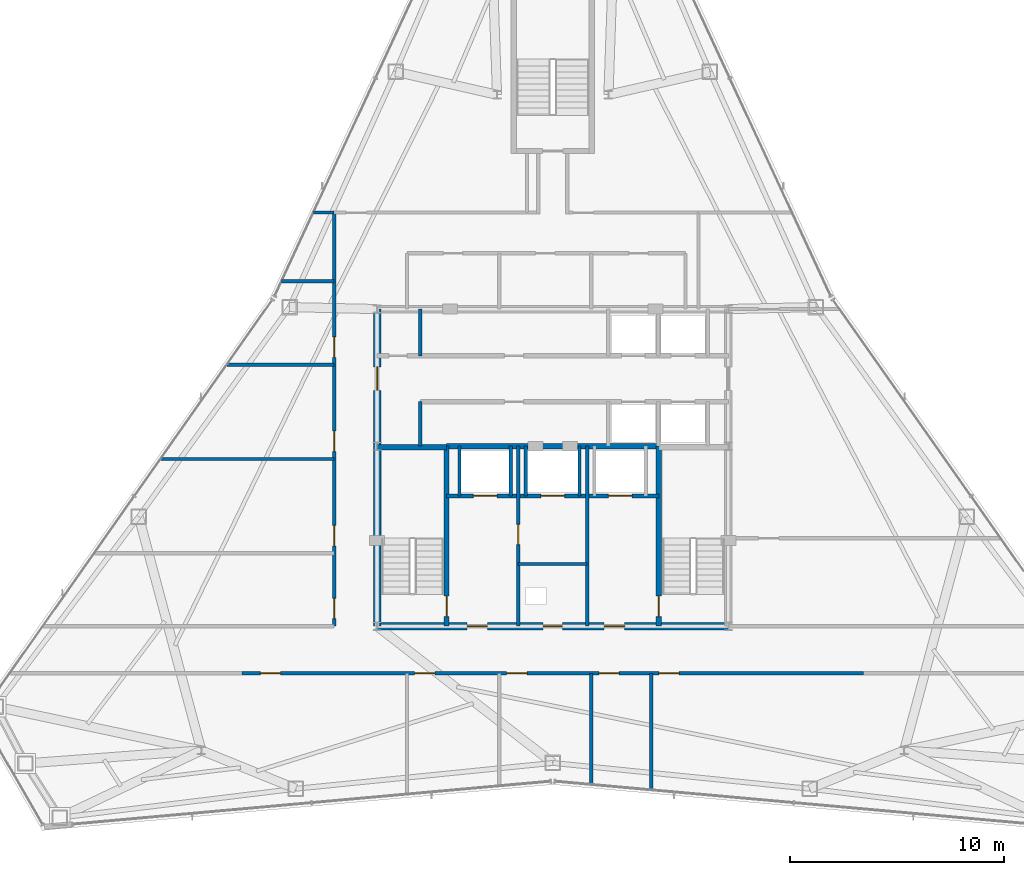
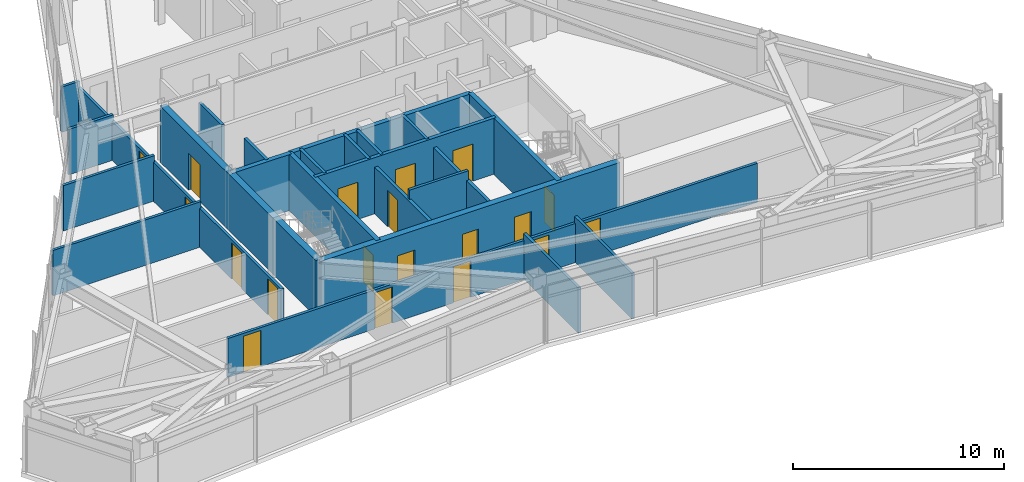
# One storey, part 9 of 12: 24 walls, 19 doors, 19 openings.
"""IFC4 building model written with IfcOpenShell, lengths in metres."""

from ifc_helpers import new_model, si_unit, direction, frame, frame_2d, origin, place, context, subcontext, project, spatial, rectangle, extrude, material, layer, layer_set, type_object, element, fill, save


model = new_model("IFC4")

# Units and contexts
model_context = context("Model", 3, precision=1e-05, world=origin(), true_north=direction((0.0, 1.0)))
body_context = subcontext(model_context, "Body", "Model", "MODEL_VIEW")
ifc_project = project(units=[si_unit("LENGTHUNIT", "METRE"), si_unit("AREAUNIT", "SQUARE_METRE"), si_unit("VOLUMEUNIT", "CUBIC_METRE"), si_unit("PLANEANGLEUNIT", "RADIAN"), si_unit("MASSUNIT", "GRAM", prefix="KILO")], contexts=[model_context])

# Site, building, storey
site_placement = place(None, origin())
site = spatial("IfcSite", under=ifc_project, at=site_placement, CompositionType="ELEMENT")
building_placement = place(site_placement, origin())
building = spatial("IfcBuilding", under=site, at=building_placement, Name="Varakhsha Concourse Tower", CompositionType="ELEMENT")
storey_placement = place(building_placement, frame((0.0, 0.0, 239.89990234375)))
storey = spatial("IfcBuildingStorey", under=building, at=storey_placement, Name="L68", CompositionType="ELEMENT", Elevation=239.89990234375)

# Wall, openings, doors
ifc_material_1 = material(Name="Concrete fc 65 MPa", Category="concrete")
ifc_layer_1 = layer(ifc_material_1, 0.35009765625, Name="WL-CORE-350")
ifc_layer_set_1 = layer_set([ifc_layer_1], Name="Concrete fc 65 MPa")
wall_type_1 = type_object("IfcWallType", Name="WL-CORE-350", PredefinedType="SHEAR", material=ifc_layer_set_1)
wall_1_placement = place(storey_placement, frame((31.800048828125, 16.39990234375, 0.0), z_axis=(0.0, 0.0, 1.0), x_axis=(1.0, 0.0, 0.0)))
wall_1 = element("IfcWall", 1, at=wall_1_placement, inside=storey, type_object=wall_type_1, Name="L68 Wall CWALL-S-L68", PredefinedType="SHEAR", context=body_context, shape_type="SweptSolid", body=[
    extrude(rectangle(XDim=16.39990234375, YDim=0.35009765625, at=frame_2d((8.199951171875, 0.0))), origin(), (0.0, 0.0, 1.0), 3.25),
])
opening_1_placement = place(wall_1_placement, frame((7.75, 0.0, 0.0)))
opening_1 = element("IfcOpeningElement", 2, at=opening_1_placement, cuts=wall_1, Name="Opening DF-06", PredefinedType="OPENING", context=body_context, shape_type="SweptSolid", body=[
    extrude(rectangle(XDim=0.89990234375, YDim=2.10009765625, at=frame_2d((0.449951171875, 1.050048828125))), frame((0.0, 0.18505859375, 0.0), z_axis=(0.0, -1.0, 0.0), x_axis=(1.0, 0.0, 0.0)), (0.0, 0.0, 1.0), 0.3701171875),
])
opening_2_placement = place(wall_1_placement, frame((4.199951171875, 0.0, 0.0)))
opening_2 = element("IfcOpeningElement", 3, at=opening_2_placement, cuts=wall_1, Name="Opening DF-05", PredefinedType="OPENING", context=body_context, shape_type="SweptSolid", body=[
    extrude(rectangle(XDim=0.949951171875, YDim=2.10009765625, at=frame_2d((0.47509765625, 1.050048828125))), frame((0.0, 0.18505859375, 0.0), z_axis=(0.0, -1.0, 0.0), x_axis=(1.0, 0.0, 0.0)), (0.0, 0.0, 1.0), 0.3701171875),
])
opening_3_placement = place(wall_1_placement, frame((10.60009765625, 0.0, 0.0)))
opening_3 = element("IfcOpeningElement", 4, at=opening_3_placement, cuts=wall_1, Name="Opening DF-05", PredefinedType="OPENING", context=body_context, shape_type="SweptSolid", body=[
    extrude(rectangle(XDim=0.949951171875, YDim=2.10009765625, at=frame_2d((0.47509765625, 1.050048828125))), frame((0.0, 0.18505859375, 0.0), z_axis=(0.0, -1.0, 0.0), x_axis=(1.0, 0.0, 0.0)), (0.0, 0.0, 1.0), 0.3701171875),
])
ifc_material_2 = material(Name="Hollow Galvanised Steel Fire Door Assembly", Category="steel")
door_type_1 = type_object("IfcDoorType", Name="DR-FD60-900", OperationType="NOTDEFINED", PredefinedType="DOOR", material=ifc_material_2)
door_1_placement = place(opening_1_placement, origin())
door_1 = element("IfcDoor", 5, at=door_1_placement, inside=storey, type_object=door_type_1, Name="L68 Electrical Riser Access Door", OperationType="SINGLE_SWING_LEFT", OverallHeight=2.10009765625, OverallWidth=0.89990234375, PredefinedType="DOOR", context=body_context, shape_type="SweptSolid", body=[
    extrude(rectangle(XDim=0.89990234375, YDim=2.10009765625, at=frame_2d((0.449951171875, 1.050048828125))), frame((0.0, 0.02490234375, 0.0), z_axis=(0.0, -1.0, 0.0), x_axis=(1.0, 0.0, 0.0)), (0.0, 0.0, 1.0), 0.050048828125),
])
fill(opening_1, door_1)
door_type_2 = type_object("IfcDoorType", Name="DR-FD60-950", OperationType="NOTDEFINED", PredefinedType="DOOR", material=ifc_material_2)
door_2_placement = place(opening_2_placement, origin())
door_2 = element("IfcDoor", 6, at=door_2_placement, inside=storey, type_object=door_type_2, Name="L68 Firefighting Lobby West Door", OperationType="SINGLE_SWING_RIGHT", OverallHeight=2.10009765625, OverallWidth=0.949951171875, PredefinedType="DOOR", context=body_context, shape_type="SweptSolid", body=[
    extrude(rectangle(XDim=0.949951171875, YDim=2.10009765625, at=frame_2d((0.47509765625, 1.050048828125))), frame((0.0, 0.02490234375, 0.0), z_axis=(0.0, -1.0, 0.0), x_axis=(1.0, 0.0, 0.0)), (0.0, 0.0, 1.0), 0.050048828125),
])
fill(opening_2, door_2)
door_3_placement = place(opening_3_placement, origin())
door_3 = element("IfcDoor", 7, at=door_3_placement, inside=storey, type_object=door_type_2, Name="L68 Firefighting Lobby East Door", OperationType="SINGLE_SWING_LEFT", OverallHeight=2.10009765625, OverallWidth=0.949951171875, PredefinedType="DOOR", context=body_context, shape_type="SweptSolid", body=[
    extrude(rectangle(XDim=0.949951171875, YDim=2.10009765625, at=frame_2d((0.47509765625, 1.050048828125))), frame((0.0, 0.02490234375, 0.0), z_axis=(0.0, -1.0, 0.0), x_axis=(1.0, 0.0, 0.0)), (0.0, 0.0, 1.0), 0.050048828125),
])
fill(opening_3, door_3)

# Wall, opening, door
wall_2_placement = place(storey_placement, frame((31.800048828125, 16.39990234375, 0.0), z_axis=(0.0, 0.0, 1.0), x_axis=(0.0, 1.0, 0.0)))
wall_2 = element("IfcWall", 8, at=wall_2_placement, inside=storey, type_object=wall_type_1, Name="L68 Wall CWALL-W-L68", PredefinedType="SHEAR", context=body_context, shape_type="SweptSolid", body=[
    extrude(rectangle(XDim=14.800048828125, YDim=0.35009765625, at=frame_2d((7.39990234375, 0.0))), origin(), (0.0, 0.0, 1.0), 3.25),
])
opening_4_placement = place(wall_2_placement, frame((11.0, 0.0, 0.0)))
opening_4 = element("IfcOpeningElement", 9, at=opening_4_placement, cuts=wall_2, Name="Opening DL-01", PredefinedType="OPENING", context=body_context, shape_type="SweptSolid", body=[
    extrude(rectangle(XDim=1.10009765625, YDim=2.14990234375, at=frame_2d((0.550048828125, 1.074951171875))), frame((0.0, 0.18505859375, 0.0), z_axis=(0.0, -1.0, 0.0), x_axis=(1.0, 0.0, 0.0)), (0.0, 0.0, 1.0), 0.3701171875),
])
ifc_material_3 = material(Name="Anodised Bronze Architectural Aluminium AA 6063-T6", Category="aluminium")
door_type_3 = type_object("IfcDoorType", Name="DR-LOB-1100", OperationType="NOTDEFINED", PredefinedType="DOOR", material=ifc_material_3)
door_4_placement = place(opening_4_placement, origin())
door_4 = element("IfcDoor", 10, at=door_4_placement, inside=storey, type_object=door_type_3, Name="L68 Lift Lobby West Concourse Door", OperationType="SINGLE_SWING_LEFT", OverallHeight=2.14990234375, OverallWidth=1.10009765625, PredefinedType="DOOR", context=body_context, shape_type="SweptSolid", body=[
    extrude(rectangle(XDim=1.10009765625, YDim=2.14990234375, at=frame_2d((0.550048828125, 1.074951171875))), frame((0.0, 0.02490234375, 0.0), z_axis=(0.0, -1.0, 0.0), x_axis=(1.0, 0.0, 0.0)), (0.0, 0.0, 1.0), 0.050048828125),
])
fill(opening_4, door_4)

ifc_material_4 = material(Name="Fire-Rated Type X Gypsum Partition Assembly", Category="gypsum")
ifc_layer_2 = layer(ifc_material_4, 0.179931640625, Name="WL-FFLOB-180")
ifc_layer_set_2 = layer_set([ifc_layer_2], Name="Fire-Rated Type X Gypsum Partition Assembly")
wall_type_2 = type_object("IfcWallType", Name="WL-FFLOB-180", PredefinedType="PARTITIONING", material=ifc_layer_set_2)
wall_3_placement = place(storey_placement, frame((38.389892578125, 16.39990234375, 0.0), z_axis=(0.0, 0.0, 1.0), x_axis=(0.0, 1.0, 0.0)))
wall_3 = element("IfcWall", 11, at=wall_3_placement, inside=storey, type_object=wall_type_2, Name="L68 Wall FFW-1E-L68", PredefinedType="PARTITIONING", context=body_context, shape_type="SweptSolid", body=[
    extrude(rectangle(XDim=8.400146484375, YDim=0.179931640625, at=frame_2d((4.2001953125, 0.0))), origin(), (0.0, 0.0, 1.0), 2.705078125),
])
opening_5_placement = place(wall_3_placement, frame((3.800048828125, 0.0, 0.0)))
opening_5 = element("IfcOpeningElement", 12, at=opening_5_placement, cuts=wall_3, Name="Opening DF-05", PredefinedType="OPENING", context=body_context, shape_type="SweptSolid", body=[
    extrude(rectangle(XDim=0.949951171875, YDim=2.10009765625, at=frame_2d((0.47509765625, 1.050048828125))), frame((0.0, 0.099853515625, 0.0), z_axis=(0.0, -1.0, 0.0), x_axis=(1.0, 0.0, 0.0)), (0.0, 0.0, 1.0), 0.199951171875),
])
door_5_placement = place(opening_5_placement, origin())
door_5 = element("IfcDoor", 13, at=door_5_placement, inside=storey, type_object=door_type_2, Name="L68 Service Vestibule Door", OperationType="SINGLE_SWING_RIGHT", OverallHeight=2.10009765625, OverallWidth=0.949951171875, PredefinedType="DOOR", context=body_context, shape_type="SweptSolid", body=[
    extrude(rectangle(XDim=0.949951171875, YDim=2.10009765625, at=frame_2d((0.47509765625, 1.050048828125))), frame((0.0, 0.02490234375, 0.0), z_axis=(0.0, -1.0, 0.0), x_axis=(1.0, 0.0, 0.0)), (0.0, 0.0, 1.0), 0.050048828125),
])
fill(opening_5, door_5)

# Walls
wall_4_placement = place(storey_placement, frame((41.610107421875, 16.39990234375, 0.0), z_axis=(0.0, 0.0, 1.0), x_axis=(0.0, 1.0, 0.0)))
element("IfcWall", 14, at=wall_4_placement, inside=storey, type_object=wall_type_2, Name="L68 Wall FFW-2W-L68", PredefinedType="PARTITIONING", context=body_context, shape_type="SweptSolid", body=[
    extrude(rectangle(XDim=8.400146484375, YDim=0.179931640625, at=frame_2d((4.2001953125, 0.0))), origin(), (0.0, 0.0, 1.0), 2.705078125),
])
ifc_layer_3 = layer(ifc_material_4, 0.14990234375, Name="WL-PART-150")
ifc_layer_set_3 = layer_set([ifc_layer_3], Name="Fire-Rated Type X Gypsum Partition Assembly")
wall_type_3 = type_object("IfcWallType", Name="WL-PART-150", PredefinedType="PARTITIONING", material=ifc_layer_set_3)
wall_5_placement = place(storey_placement, frame((38.389892578125, 19.300048828125, 0.0), z_axis=(0.0, 0.0, 1.0), x_axis=(1.0, 0.0, 0.0)))
element("IfcWall", 15, at=wall_5_placement, inside=storey, type_object=wall_type_3, Name="L68 Wall RSW-H-L68", PredefinedType="PARTITIONING", context=body_context, shape_type="SweptSolid", body=[
    extrude(rectangle(XDim=3.22021484375, YDim=0.14990234375, at=frame_2d((1.610107421875, 0.0))), origin(), (0.0, 0.0, 1.0), 3.25),
])

# Wall, openings, doors
wall_6_placement = place(storey_placement, frame((29.800048828125, 16.39990234375, 0.0), z_axis=(0.0, 0.0, 1.0), x_axis=(0.0, 1.0, 0.0)))
wall_6 = element("IfcWall", 16, at=wall_6_placement, inside=storey, type_object=wall_type_3, Name="L68 Wall CRW-W-L68", PredefinedType="PARTITIONING", context=body_context, shape_type="SweptSolid", body=[
    extrude(rectangle(XDim=19.300048828125, YDim=0.14990234375, at=frame_2d((9.64990234375, 0.0))), origin(), (0.0, 0.0, 1.0), 2.26513671875),
])
opening_6_placement = place(wall_6_placement, frame((0.35009765625, 0.0, 0.0)))
opening_6 = element("IfcOpeningElement", 17, at=opening_6_placement, cuts=wall_6, Name="Opening DF-05", PredefinedType="OPENING", context=body_context, shape_type="SweptSolid", body=[
    extrude(rectangle(XDim=0.949951171875, YDim=2.10009765625, at=frame_2d((0.47509765625, 1.050048828125))), frame((0.0, 0.0849609375, 0.0), z_axis=(0.0, -1.0, 0.0), x_axis=(1.0, 0.0, 0.0)), (0.0, 0.0, 1.0), 0.169921875),
])
opening_7_placement = place(wall_6_placement, frame((3.75, 0.0, 0.0)))
opening_7 = element("IfcOpeningElement", 18, at=opening_7_placement, cuts=wall_6, Name="Opening DF-05", PredefinedType="OPENING", context=body_context, shape_type="SweptSolid", body=[
    extrude(rectangle(XDim=0.949951171875, YDim=2.10009765625, at=frame_2d((0.47509765625, 1.050048828125))), frame((0.0, 0.0849609375, 0.0), z_axis=(0.0, -1.0, 0.0), x_axis=(1.0, 0.0, 0.0)), (0.0, 0.0, 1.0), 0.169921875),
])
opening_8_placement = place(wall_6_placement, frame((8.14990234375, 0.0, 0.0)))
opening_8 = element("IfcOpeningElement", 19, at=opening_8_placement, cuts=wall_6, Name="Opening DF-05", PredefinedType="OPENING", context=body_context, shape_type="SweptSolid", body=[
    extrude(rectangle(XDim=0.949951171875, YDim=2.10009765625, at=frame_2d((0.47509765625, 1.050048828125))), frame((0.0, 0.0849609375, 0.0), z_axis=(0.0, -1.0, 0.0), x_axis=(1.0, 0.0, 0.0)), (0.0, 0.0, 1.0), 0.169921875),
])
opening_9_placement = place(wall_6_placement, frame((12.550048828125, 0.0, 0.0)))
opening_9 = element("IfcOpeningElement", 20, at=opening_9_placement, cuts=wall_6, Name="Opening DF-05", PredefinedType="OPENING", context=body_context, shape_type="SweptSolid", body=[
    extrude(rectangle(XDim=0.949951171875, YDim=2.10009765625, at=frame_2d((0.47509765625, 1.050048828125))), frame((0.0, 0.0849609375, 0.0), z_axis=(0.0, -1.0, 0.0), x_axis=(1.0, 0.0, 0.0)), (0.0, 0.0, 1.0), 0.169921875),
])
door_6_placement = place(opening_6_placement, origin())
door_6 = element("IfcDoor", 21, at=door_6_placement, inside=storey, type_object=door_type_2, Name="L68 Chambers Break Kitchen L68 Door", OperationType="SINGLE_SWING_RIGHT", OverallHeight=2.10009765625, OverallWidth=0.949951171875, PredefinedType="DOOR", context=body_context, shape_type="SweptSolid", body=[
    extrude(rectangle(XDim=0.949951171875, YDim=2.10009765625, at=frame_2d((0.47509765625, 1.050048828125))), frame((0.0, 0.02490234375, 0.0), z_axis=(0.0, -1.0, 0.0), x_axis=(1.0, 0.0, 0.0)), (0.0, 0.0, 1.0), 0.050048828125),
])
fill(opening_6, door_6)
door_7_placement = place(opening_7_placement, origin())
door_7 = element("IfcDoor", 22, at=door_7_placement, inside=storey, type_object=door_type_2, Name="L68 Senior Partner Chamber L68-W2 Door", OperationType="SINGLE_SWING_LEFT", OverallHeight=2.10009765625, OverallWidth=0.949951171875, PredefinedType="DOOR", context=body_context, shape_type="SweptSolid", body=[
    extrude(rectangle(XDim=0.949951171875, YDim=2.10009765625, at=frame_2d((0.47509765625, 1.050048828125))), frame((0.0, 0.02490234375, 0.0), z_axis=(0.0, -1.0, 0.0), x_axis=(1.0, 0.0, 0.0)), (0.0, 0.0, 1.0), 0.050048828125),
])
fill(opening_7, door_7)
door_8_placement = place(opening_8_placement, origin())
door_8 = element("IfcDoor", 23, at=door_8_placement, inside=storey, type_object=door_type_2, Name="L68 Senior Partner Chamber L68-W3 Door", OperationType="SINGLE_SWING_RIGHT", OverallHeight=2.10009765625, OverallWidth=0.949951171875, PredefinedType="DOOR", context=body_context, shape_type="SweptSolid", body=[
    extrude(rectangle(XDim=0.949951171875, YDim=2.10009765625, at=frame_2d((0.47509765625, 1.050048828125))), frame((0.0, 0.02490234375, 0.0), z_axis=(0.0, -1.0, 0.0), x_axis=(1.0, 0.0, 0.0)), (0.0, 0.0, 1.0), 0.050048828125),
])
fill(opening_8, door_8)
door_9_placement = place(opening_9_placement, origin())
door_9 = element("IfcDoor", 24, at=door_9_placement, inside=storey, type_object=door_type_2, Name="L68 Senior Partner Chamber L68-W4 Door", OperationType="SINGLE_SWING_LEFT", OverallHeight=2.10009765625, OverallWidth=0.949951171875, PredefinedType="DOOR", context=body_context, shape_type="SweptSolid", body=[
    extrude(rectangle(XDim=0.949951171875, YDim=2.10009765625, at=frame_2d((0.47509765625, 1.050048828125))), frame((0.0, 0.02490234375, 0.0), z_axis=(0.0, -1.0, 0.0), x_axis=(1.0, 0.0, 0.0)), (0.0, 0.0, 1.0), 0.050048828125),
])
fill(opening_9, door_9)

wall_7_placement = place(storey_placement, frame((25.5, 14.199951171875, 0.0), z_axis=(0.0, 0.0, 1.0), x_axis=(1.0, 0.0, 0.0)))
wall_7 = element("IfcWall", 25, at=wall_7_placement, inside=storey, type_object=wall_type_3, Name="L68 Wall CRW-S-DOOR-L68", PredefinedType="PARTITIONING", context=body_context, shape_type="SweptSolid", body=[
    extrude(rectangle(XDim=29.0, YDim=0.14990234375, at=frame_2d((14.5, 0.0))), origin(), (0.0, 0.0, 1.0), 2.26513671875),
])
opening_10_placement = place(wall_7_placement, frame((0.85009765625, 0.0, 0.0)))
opening_10 = element("IfcOpeningElement", 26, at=opening_10_placement, cuts=wall_7, Name="Opening DF-05", PredefinedType="OPENING", context=body_context, shape_type="SweptSolid", body=[
    extrude(rectangle(XDim=0.949951171875, YDim=2.10009765625, at=frame_2d((0.47509765625, 1.050048828125))), frame((0.0, 0.0849609375, 0.0), z_axis=(0.0, -1.0, 0.0), x_axis=(1.0, 0.0, 0.0)), (0.0, 0.0, 1.0), 0.169921875),
])
opening_11_placement = place(wall_7_placement, frame((8.050048828125, 0.0, 0.0)))
opening_11 = element("IfcOpeningElement", 27, at=opening_11_placement, cuts=wall_7, Name="Opening DF-05", PredefinedType="OPENING", context=body_context, shape_type="SweptSolid", body=[
    extrude(rectangle(XDim=0.949951171875, YDim=2.10009765625, at=frame_2d((0.47509765625, 1.050048828125))), frame((0.0, 0.0849609375, 0.0), z_axis=(0.0, -1.0, 0.0), x_axis=(1.0, 0.0, 0.0)), (0.0, 0.0, 1.0), 0.169921875),
])
opening_12_placement = place(wall_7_placement, frame((12.35009765625, 0.0, 0.0)))
opening_12 = element("IfcOpeningElement", 28, at=opening_12_placement, cuts=wall_7, Name="Opening DF-05", PredefinedType="OPENING", context=body_context, shape_type="SweptSolid", body=[
    extrude(rectangle(XDim=0.949951171875, YDim=2.10009765625, at=frame_2d((0.47509765625, 1.050048828125))), frame((0.0, 0.0849609375, 0.0), z_axis=(0.0, -1.0, 0.0), x_axis=(1.0, 0.0, 0.0)), (0.0, 0.0, 1.0), 0.169921875),
])
opening_13_placement = place(wall_7_placement, frame((16.64990234375, 0.0, 0.0)))
opening_13 = element("IfcOpeningElement", 29, at=opening_13_placement, cuts=wall_7, Name="Opening DF-05", PredefinedType="OPENING", context=body_context, shape_type="SweptSolid", body=[
    extrude(rectangle(XDim=0.949951171875, YDim=2.10009765625, at=frame_2d((0.47509765625, 1.050048828125))), frame((0.0, 0.0849609375, 0.0), z_axis=(0.0, -1.0, 0.0), x_axis=(1.0, 0.0, 0.0)), (0.0, 0.0, 1.0), 0.169921875),
])
opening_14_placement = place(wall_7_placement, frame((19.449951171875, 0.0, 0.0)))
opening_14 = element("IfcOpeningElement", 30, at=opening_14_placement, cuts=wall_7, Name="Opening DF-05", PredefinedType="OPENING", context=body_context, shape_type="SweptSolid", body=[
    extrude(rectangle(XDim=0.949951171875, YDim=2.10009765625, at=frame_2d((0.47509765625, 1.050048828125))), frame((0.0, 0.0849609375, 0.0), z_axis=(0.0, -1.0, 0.0), x_axis=(1.0, 0.0, 0.0)), (0.0, 0.0, 1.0), 0.169921875),
])
door_10_placement = place(opening_10_placement, origin())
door_10 = element("IfcDoor", 31, at=door_10_placement, inside=storey, type_object=door_type_2, Name="L68 Deposition Conference Room L68-S1 Door", OperationType="SINGLE_SWING_LEFT", OverallHeight=2.10009765625, OverallWidth=0.949951171875, PredefinedType="DOOR", context=body_context, shape_type="SweptSolid", body=[
    extrude(rectangle(XDim=0.949951171875, YDim=2.10009765625, at=frame_2d((0.47509765625, 1.050048828125))), frame((0.0, 0.02490234375, 0.0), z_axis=(0.0, -1.0, 0.0), x_axis=(1.0, 0.0, 0.0)), (0.0, 0.0, 1.0), 0.050048828125),
])
fill(opening_10, door_10)
door_11_placement = place(opening_11_placement, origin())
door_11 = element("IfcDoor", 32, at=door_11_placement, inside=storey, type_object=door_type_2, Name="L68 Senior Partner Chamber L68-S2 Door", OperationType="SINGLE_SWING_RIGHT", OverallHeight=2.10009765625, OverallWidth=0.949951171875, PredefinedType="DOOR", context=body_context, shape_type="SweptSolid", body=[
    extrude(rectangle(XDim=0.949951171875, YDim=2.10009765625, at=frame_2d((0.47509765625, 1.050048828125))), frame((0.0, 0.02490234375, 0.0), z_axis=(0.0, -1.0, 0.0), x_axis=(1.0, 0.0, 0.0)), (0.0, 0.0, 1.0), 0.050048828125),
])
fill(opening_11, door_11)
door_12_placement = place(opening_12_placement, origin())
door_12 = element("IfcDoor", 33, at=door_12_placement, inside=storey, type_object=door_type_2, Name="L68 Senior Partner Chamber L68-S3 Door", OperationType="SINGLE_SWING_LEFT", OverallHeight=2.10009765625, OverallWidth=0.949951171875, PredefinedType="DOOR", context=body_context, shape_type="SweptSolid", body=[
    extrude(rectangle(XDim=0.949951171875, YDim=2.10009765625, at=frame_2d((0.47509765625, 1.050048828125))), frame((0.0, 0.02490234375, 0.0), z_axis=(0.0, -1.0, 0.0), x_axis=(1.0, 0.0, 0.0)), (0.0, 0.0, 1.0), 0.050048828125),
])
fill(opening_12, door_12)
door_13_placement = place(opening_13_placement, origin())
door_13 = element("IfcDoor", 34, at=door_13_placement, inside=storey, type_object=door_type_2, Name="L68 Senior Partner Chamber L68-S4 Door", OperationType="SINGLE_SWING_RIGHT", OverallHeight=2.10009765625, OverallWidth=0.949951171875, PredefinedType="DOOR", context=body_context, shape_type="SweptSolid", body=[
    extrude(rectangle(XDim=0.949951171875, YDim=2.10009765625, at=frame_2d((0.47509765625, 1.050048828125))), frame((0.0, 0.02490234375, 0.0), z_axis=(0.0, -1.0, 0.0), x_axis=(1.0, 0.0, 0.0)), (0.0, 0.0, 1.0), 0.050048828125),
])
fill(opening_13, door_13)
door_14_placement = place(opening_14_placement, origin())
door_14 = element("IfcDoor", 35, at=door_14_placement, inside=storey, type_object=door_type_2, Name="L68 Senior Partner Chamber L68-S5 Door", OperationType="SINGLE_SWING_LEFT", OverallHeight=2.10009765625, OverallWidth=0.949951171875, PredefinedType="DOOR", context=body_context, shape_type="SweptSolid", body=[
    extrude(rectangle(XDim=0.949951171875, YDim=2.10009765625, at=frame_2d((0.47509765625, 1.050048828125))), frame((0.0, 0.02490234375, 0.0), z_axis=(0.0, -1.0, 0.0), x_axis=(1.0, 0.0, 0.0)), (0.0, 0.0, 1.0), 0.050048828125),
])
fill(opening_14, door_14)

# Walls
wall_8_placement = place(storey_placement, frame((41.800048828125, 9.009521484375, 0.0), z_axis=(0.0, 0.0, 1.0), x_axis=(0.0, 1.0, 0.0)))
element("IfcWall", 36, at=wall_8_placement, inside=storey, type_object=wall_type_3, Name="L68 Wall ODIV-S3-L68", PredefinedType="PARTITIONING", context=body_context, shape_type="SweptSolid", body=[
    extrude(rectangle(XDim=5.1904296875, YDim=0.14990234375, at=frame_2d((2.59521484375, 0.0))), origin(), (0.0, 0.0, 1.0), 2.628173828125),
])
wall_9_placement = place(storey_placement, frame((44.60009765625, 8.75830078125, 0.0), z_axis=(0.0, 0.0, 1.0), x_axis=(0.0, 1.0, 0.0)))
element("IfcWall", 37, at=wall_9_placement, inside=storey, type_object=wall_type_3, Name="L68 Wall ODIV-S4-L68", PredefinedType="PARTITIONING", context=body_context, shape_type="SweptSolid", body=[
    extrude(rectangle(XDim=5.441650390625, YDim=0.14990234375, at=frame_2d((2.720703125, 0.0))), origin(), (0.0, 0.0, 1.0), 2.628173828125),
])
wall_10_placement = place(storey_placement, frame((28.832275390625, 35.699951171875, 0.0), z_axis=(0.0, 0.0, 1.0), x_axis=(1.0, 0.0, 0.0)))
element("IfcWall", 38, at=wall_10_placement, inside=storey, type_object=wall_type_3, Name="L68 Wall ODIV-WBN-L68", PredefinedType="PARTITIONING", context=body_context, shape_type="SweptSolid", body=[
    extrude(rectangle(XDim=0.9677734375, YDim=0.14990234375, at=frame_2d((0.48388671875, 0.0))), origin(), (0.0, 0.0, 1.0), 2.628173828125),
])
wall_11_placement = place(storey_placement, frame((21.697509765625, 24.199951171875, 0.0), z_axis=(0.0, 0.0, 1.0), x_axis=(1.0, 0.0, 0.0)))
element("IfcWall", 39, at=wall_11_placement, inside=storey, type_object=wall_type_3, Name="L68 Wall ODIV-W2-L68", PredefinedType="PARTITIONING", context=body_context, shape_type="SweptSolid", body=[
    extrude(rectangle(XDim=8.1025390625, YDim=0.14990234375, at=frame_2d((4.05126953125, 0.0))), origin(), (0.0, 0.0, 1.0), 2.628173828125),
])
wall_12_placement = place(storey_placement, frame((24.79345703125, 28.60009765625, 0.0), z_axis=(0.0, 0.0, 1.0), x_axis=(1.0, 0.0, 0.0)))
element("IfcWall", 40, at=wall_12_placement, inside=storey, type_object=wall_type_3, Name="L68 Wall ODIV-W3-L68", PredefinedType="PARTITIONING", context=body_context, shape_type="SweptSolid", body=[
    extrude(rectangle(XDim=5.006591796875, YDim=0.14990234375, at=frame_2d((2.50341796875, 0.0))), origin(), (0.0, 0.0, 1.0), 2.628173828125),
])
wall_13_placement = place(storey_placement, frame((27.348876953125, 32.5, 0.0), z_axis=(0.0, 0.0, 1.0), x_axis=(1.0, 0.0, 0.0)))
element("IfcWall", 41, at=wall_13_placement, inside=storey, type_object=wall_type_3, Name="L68 Wall ODIV-W4-L68", PredefinedType="PARTITIONING", context=body_context, shape_type="SweptSolid", body=[
    extrude(rectangle(XDim=2.451171875, YDim=0.14990234375, at=frame_2d((1.2255859375, 0.0))), origin(), (0.0, 0.0, 1.0), 2.628173828125),
])

# Wall, openings, doors
ifc_layer_4 = layer(ifc_material_4, 0.199951171875, Name="WL-SHAFT-220")
ifc_layer_set_4 = layer_set([ifc_layer_4], Name="Fire-Rated Type X Gypsum Partition Assembly")
wall_type_4 = type_object("IfcWallType", Name="WL-SHAFT-220", PredefinedType="SOLIDWALL", material=ifc_layer_set_4)
wall_14_placement = place(storey_placement, frame((35.044921875, 22.47998046875, 0.0), z_axis=(0.0, 0.0, 1.0), x_axis=(1.0, 0.0, 0.0)))
wall_14 = element("IfcWall", 42, at=wall_14_placement, inside=storey, type_object=wall_type_4, Name="L68 Wall FFW-NH-L68", PredefinedType="SOLIDWALL", context=body_context, shape_type="SweptSolid", body=[
    extrude(rectangle(XDim=9.91015625, YDim=0.199951171875, at=frame_2d((4.955078125, 0.0))), origin(), (0.0, 0.0, 1.0), 3.25),
])
opening_15_placement = place(wall_14_placement, frame((1.2548828125, 0.0, 0.0)))
opening_15 = element("IfcOpeningElement", 43, at=opening_15_placement, cuts=wall_14, Name="Opening LD-FFL-1", PredefinedType="OPENING", context=body_context, shape_type="SweptSolid", body=[
    extrude(rectangle(XDim=1.10009765625, YDim=2.14990234375, at=frame_2d((0.550048828125, 1.074951171875))), frame((0.0, 0.10986328125, 0.0), z_axis=(0.0, -1.0, 0.0), x_axis=(1.0, 0.0, 0.0)), (0.0, 0.0, 1.0), 0.219970703125),
])
opening_16_placement = place(wall_14_placement, frame((7.554931640625, 0.0, 0.0)))
opening_16 = element("IfcOpeningElement", 44, at=opening_16_placement, cuts=wall_14, Name="Opening LD-FFL-2", PredefinedType="OPENING", context=body_context, shape_type="SweptSolid", body=[
    extrude(rectangle(XDim=1.10009765625, YDim=2.14990234375, at=frame_2d((0.550048828125, 1.074951171875))), frame((0.0, 0.10986328125, 0.0), z_axis=(0.0, -1.0, 0.0), x_axis=(1.0, 0.0, 0.0)), (0.0, 0.0, 1.0), 0.219970703125),
])
opening_17_placement = place(wall_14_placement, frame((4.405029296875, 0.0, 0.0)))
opening_17 = element("IfcOpeningElement", 45, at=opening_17_placement, cuts=wall_14, Name="Opening LD-SVL-1", PredefinedType="OPENING", context=body_context, shape_type="SweptSolid", body=[
    extrude(rectangle(XDim=1.10009765625, YDim=2.14990234375, at=frame_2d((0.550048828125, 1.074951171875))), frame((0.0, 0.10986328125, 0.0), z_axis=(0.0, -1.0, 0.0), x_axis=(1.0, 0.0, 0.0)), (0.0, 0.0, 1.0), 0.219970703125),
])
ifc_material_5 = material(Name="Brushed Austenitic Stainless Steel AISI 316", Category="steel")
door_type_4 = type_object("IfcDoorType", Name="DR-LD-1100", OperationType="DOUBLE_DOOR_SLIDING", PredefinedType="DOOR", material=ifc_material_5)
door_15_placement = place(opening_15_placement, origin())
door_15 = element("IfcDoor", 46, at=door_15_placement, inside=storey, type_object=door_type_4, Name="Lift Landing Door FFL-1 L68", OperationType="DOUBLE_DOOR_SLIDING", OverallHeight=2.14990234375, OverallWidth=1.10009765625, PredefinedType="DOOR", context=body_context, shape_type="SweptSolid", body=[
    extrude(rectangle(XDim=1.10009765625, YDim=2.14990234375, at=frame_2d((0.550048828125, 1.074951171875))), frame((0.0, 0.02490234375, 0.0), z_axis=(0.0, -1.0, 0.0), x_axis=(1.0, 0.0, 0.0)), (0.0, 0.0, 1.0), 0.050048828125),
])
fill(opening_15, door_15)
door_16_placement = place(opening_16_placement, origin())
door_16 = element("IfcDoor", 47, at=door_16_placement, inside=storey, type_object=door_type_4, Name="Lift Landing Door FFL-2 L68", OperationType="DOUBLE_DOOR_SLIDING", OverallHeight=2.14990234375, OverallWidth=1.10009765625, PredefinedType="DOOR", context=body_context, shape_type="SweptSolid", body=[
    extrude(rectangle(XDim=1.10009765625, YDim=2.14990234375, at=frame_2d((0.550048828125, 1.074951171875))), frame((0.0, 0.02490234375, 0.0), z_axis=(0.0, -1.0, 0.0), x_axis=(1.0, 0.0, 0.0)), (0.0, 0.0, 1.0), 0.050048828125),
])
fill(opening_16, door_16)
door_17_placement = place(opening_17_placement, origin())
door_17 = element("IfcDoor", 48, at=door_17_placement, inside=storey, type_object=door_type_4, Name="Lift Landing Door SVL-1 L68", OperationType="DOUBLE_DOOR_SLIDING", OverallHeight=2.14990234375, OverallWidth=1.10009765625, PredefinedType="DOOR", context=body_context, shape_type="SweptSolid", body=[
    extrude(rectangle(XDim=1.10009765625, YDim=2.14990234375, at=frame_2d((0.550048828125, 1.074951171875))), frame((0.0, 0.02490234375, 0.0), z_axis=(0.0, -1.0, 0.0), x_axis=(1.0, 0.0, 0.0)), (0.0, 0.0, 1.0), 0.050048828125),
])
fill(opening_17, door_17)

# Walls
for number, where, z_axis, x_axis, name in (
    (49, (35.64990234375, 22.47998046875, 0.0), (0.0, 0.0, 1.0), (0.0, 1.0, 0.0), "L68 Wall SHW-FFL-1-W-L68"),
    (50, (38.050048828125, 22.47998046875, 0.0), (0.0, 0.0, 1.0), (0.0, 1.0, 0.0), "L68 Wall SHW-FFL-1-E-L68"),
    (51, (38.75, 22.47998046875, 0.0), (0.0, 0.0, 1.0), (0.0, 1.0, 0.0), "L68 Wall SHW-SVL-1-W-L68"),
    (52, (41.25, 22.47998046875, 0.0), (0.0, 0.0, 1.0), (0.0, 1.0, 0.0), "L68 Wall SHW-SVL-1-E-L68"),
):
    element("IfcWall", number, at=place(storey_placement, frame(where, z_axis=z_axis, x_axis=x_axis)), inside=storey, type_object=wall_type_4, Name=name, PredefinedType="SOLIDWALL", context=body_context, shape_type="SweptSolid", body=[
        extrude(rectangle(XDim=2.320068359375, YDim=0.159912109375, at=frame_2d((1.16015625, 0.0))), origin(), (0.0, 0.0, 1.0), 3.25),
    ])
wall_15_placement = place(storey_placement, frame((33.820068359375, 29.02001953125, 0.0), z_axis=(0.0, 0.0, 1.0), x_axis=(0.0, 1.0, 0.0)))
element("IfcWall", 53, at=wall_15_placement, inside=storey, type_object=wall_type_4, Name="L68 Wall WBOH-E1-L68", PredefinedType="SOLIDWALL", context=body_context, shape_type="SweptSolid", body=[
    extrude(rectangle(XDim=2.179931640625, YDim=0.159912109375, at=frame_2d((1.08984375, 0.0))), origin(), (0.0, 0.0, 1.0), 2.705078125),
])
wall_16_placement = place(storey_placement, frame((33.820068359375, 24.800048828125, 0.0), z_axis=(0.0, 0.0, 1.0), x_axis=(0.0, 1.0, 0.0)))
element("IfcWall", 54, at=wall_16_placement, inside=storey, type_object=wall_type_4, Name="L68 Wall WBOH-E2-L68", PredefinedType="SOLIDWALL", context=body_context, shape_type="SweptSolid", body=[
    extrude(rectangle(XDim=2.079833984375, YDim=0.159912109375, at=frame_2d((1.0400390625, 0.0))), origin(), (0.0, 0.0, 1.0), 3.25),
])

# Wall, opening, door
ifc_material_6 = material(Name="Concrete fc 45 MPa", Category="concrete")
ifc_layer_5 = layer(ifc_material_6, 0.25, Name="WL-STAIR-250")
ifc_layer_set_5 = layer_set([ifc_layer_5], Name="Concrete fc 45 MPa")
wall_type_5 = type_object("IfcWallType", Name="WL-STAIR-250", PredefinedType="SHEAR", material=ifc_layer_set_5)
wall_17_placement = place(storey_placement, frame((35.044921875, 16.39990234375, 0.0), z_axis=(0.0, 0.0, 1.0), x_axis=(0.0, 1.0, 0.0)))
wall_17 = element("IfcWall", 55, at=wall_17_placement, inside=storey, type_object=wall_type_5, Name="L68 Wall SWALL-ST1-E-L68", PredefinedType="SHEAR", context=body_context, shape_type="SweptSolid", body=[
    extrude(rectangle(XDim=8.400146484375, YDim=0.25, at=frame_2d((4.2001953125, 0.0))), origin(), (0.0, 0.0, 1.0), 3.25),
])
opening_18_placement = place(wall_17_placement, frame((0.449951171875, 0.0, 0.0)))
opening_18 = element("IfcOpeningElement", 56, at=opening_18_placement, cuts=wall_17, Name="Opening DF-03", PredefinedType="OPENING", context=body_context, shape_type="SweptSolid", body=[
    extrude(rectangle(XDim=0.949951171875, YDim=2.10009765625, at=frame_2d((0.47509765625, 1.050048828125))), frame((0.0, 0.135009765625, 0.0), z_axis=(0.0, -1.0, 0.0), x_axis=(1.0, 0.0, 0.0)), (0.0, 0.0, 1.0), 0.27001953125),
])
door_type_5 = type_object("IfcDoorType", Name="DR-FD90-950", OperationType="NOTDEFINED", PredefinedType="DOOR", material=ifc_material_2)
door_18_placement = place(opening_18_placement, origin())
door_18 = element("IfcDoor", 57, at=door_18_placement, inside=storey, type_object=door_type_5, Name="L68 Stair ST1 Fire Door", OperationType="SINGLE_SWING_LEFT", OverallHeight=2.10009765625, OverallWidth=0.949951171875, PredefinedType="DOOR", context=body_context, shape_type="SweptSolid", body=[
    extrude(rectangle(XDim=0.949951171875, YDim=2.10009765625, at=frame_2d((0.47509765625, 1.050048828125))), frame((0.0, 0.02490234375, 0.0), z_axis=(0.0, -1.0, 0.0), x_axis=(1.0, 0.0, 0.0)), (0.0, 0.0, 1.0), 0.050048828125),
])
fill(opening_18, door_18)

# Wall
wall_18_placement = place(storey_placement, frame((31.800048828125, 24.7548828125, 0.0), z_axis=(0.0, 0.0, 1.0), x_axis=(1.0, 0.0, 0.0)))
element("IfcWall", 58, at=wall_18_placement, inside=storey, type_object=wall_type_5, Name="L68 Wall SWALL-ST1-N-L68", PredefinedType="SHEAR", context=body_context, shape_type="SweptSolid", body=[
    extrude(rectangle(XDim=3.244873046875, YDim=0.25, at=frame_2d((1.62255859375, 0.0))), origin(), (0.0, 0.0, 1.0), 3.25),
])

# Wall, opening, door
wall_19_placement = place(storey_placement, frame((44.955078125, 16.39990234375, 0.0), z_axis=(0.0, 0.0, 1.0), x_axis=(0.0, 1.0, 0.0)))
wall_19 = element("IfcWall", 59, at=wall_19_placement, inside=storey, type_object=wall_type_5, Name="L68 Wall SWALL-ST2-W-L68", PredefinedType="SHEAR", context=body_context, shape_type="SweptSolid", body=[
    extrude(rectangle(XDim=8.400146484375, YDim=0.25, at=frame_2d((4.2001953125, 0.0))), origin(), (0.0, 0.0, 1.0), 3.25),
])
opening_19_placement = place(wall_19_placement, frame((0.449951171875, 0.0, 0.0)))
opening_19 = element("IfcOpeningElement", 60, at=opening_19_placement, cuts=wall_19, Name="Opening DF-03", PredefinedType="OPENING", context=body_context, shape_type="SweptSolid", body=[
    extrude(rectangle(XDim=0.949951171875, YDim=2.10009765625, at=frame_2d((0.47509765625, 1.050048828125))), frame((0.0, 0.135009765625, 0.0), z_axis=(0.0, -1.0, 0.0), x_axis=(1.0, 0.0, 0.0)), (0.0, 0.0, 1.0), 0.27001953125),
])
door_19_placement = place(opening_19_placement, origin())
door_19 = element("IfcDoor", 61, at=door_19_placement, inside=storey, type_object=door_type_5, Name="L68 Stair ST2 Fire Door", OperationType="SINGLE_SWING_RIGHT", OverallHeight=2.10009765625, OverallWidth=0.949951171875, PredefinedType="DOOR", context=body_context, shape_type="SweptSolid", body=[
    extrude(rectangle(XDim=0.949951171875, YDim=2.10009765625, at=frame_2d((0.47509765625, 1.050048828125))), frame((0.0, 0.02490234375, 0.0), z_axis=(0.0, -1.0, 0.0), x_axis=(1.0, 0.0, 0.0)), (0.0, 0.0, 1.0), 0.050048828125),
])
fill(opening_19, door_19)

# Wall
wall_20_placement = place(storey_placement, frame((35.044921875, 24.800048828125, 0.0), z_axis=(0.0, 0.0, 1.0), x_axis=(1.0, 0.0, 0.0)))
element("IfcWall", 62, at=wall_20_placement, inside=storey, type_object=wall_type_5, Name="L68 Wall SWALL-MID-H-L68", PredefinedType="SHEAR", context=body_context, shape_type="SweptSolid", body=[
    extrude(rectangle(XDim=9.91015625, YDim=0.25, at=frame_2d((4.955078125, 0.0))), origin(), (0.0, 0.0, 1.0), 3.25),
])

save(model, "model.ifc")
